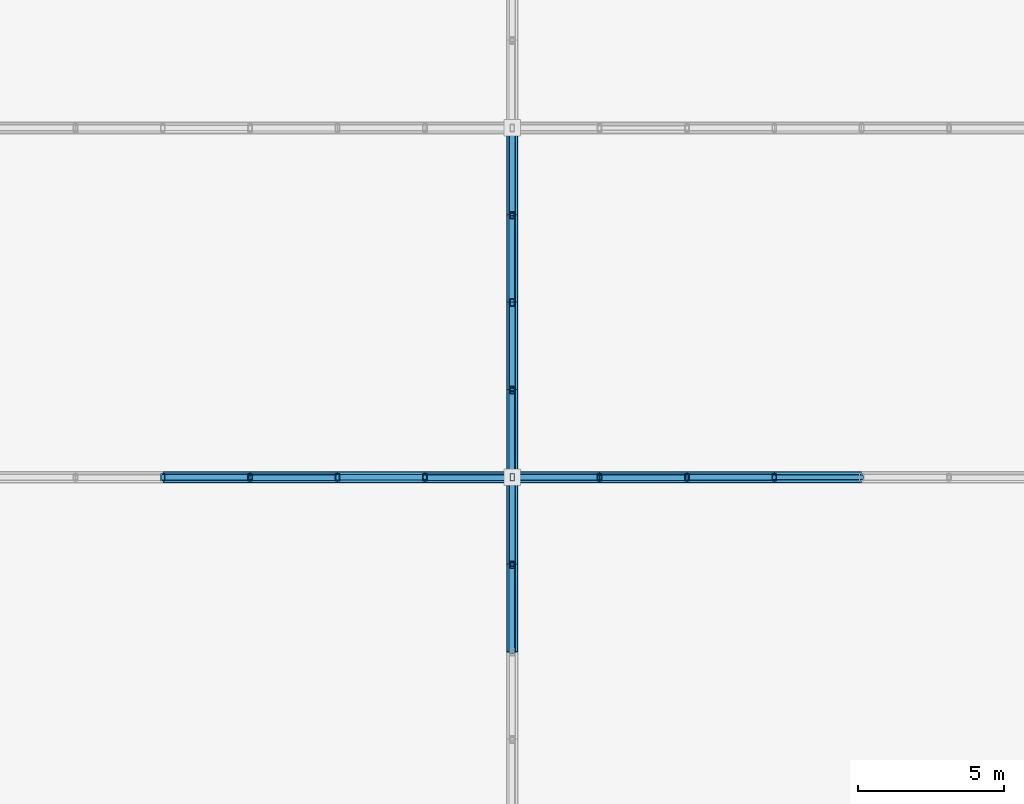
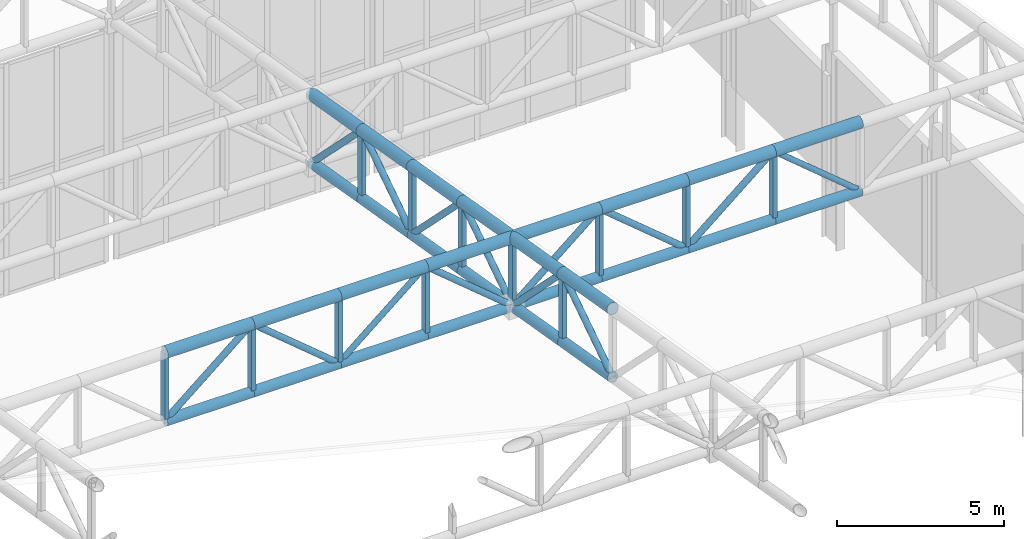
# One storey, part 128 of 239: 54 members.
"""IFC4 building model written with IfcOpenShell, lengths in metres."""

from ifc_helpers import new_model, si_unit, direction, frame, origin, origin_2d, place, context, subcontext, project, spatial, hollow_rectangle, hollow_circle, extrude, material, material_profile, profile_set, type_object, element, save


model = new_model("IFC4")

# Units and contexts
model_context = context("Model", 3, precision=1e-05, world=origin(), true_north=direction((0.0, 1.0)))
body_context = subcontext(model_context, "Body", "Model", "MODEL_VIEW")
ifc_project = project(units=[si_unit("LENGTHUNIT", "METRE"), si_unit("AREAUNIT", "SQUARE_METRE"), si_unit("VOLUMEUNIT", "CUBIC_METRE"), si_unit("PLANEANGLEUNIT", "RADIAN"), si_unit("MASSUNIT", "GRAM", prefix="KILO")], contexts=[model_context])

# Site, building, storey
site_placement = place(None, origin())
site = spatial("IfcSite", under=ifc_project, at=site_placement, CompositionType="ELEMENT")
building_placement = place(site_placement, origin())
building = spatial("IfcBuilding", under=site, at=building_placement, Name="Kaldris Quays Convention Centre", CompositionType="ELEMENT")
storey_placement = place(building_placement, frame((0.0, 0.0, 11.39990234375)))
storey = spatial("IfcBuildingStorey", under=building, at=storey_placement, Name="L02", CompositionType="ELEMENT", Elevation=11.39990234375)

# Members
ifc_material = material(Name="Steel S355J2H", Category="steel")
ifc_material_profile_1 = material_profile(ifc_material, hollow_circle(Radius=0.203125, WallThickness=0.01611328125, at=origin_2d()), Name="CHS 406.4x16")
ifc_profile_set_1 = profile_set([ifc_material_profile_1], Name="Steel S355J2H")
member_type_1 = type_object("IfcMemberType", Name="STRUCTURAL MEMBER SC01", PredefinedType="CHORD", material=ifc_profile_set_1)
for number, where, z_axis, x_axis, name in (
    (1, (116.0, 116.0, 13.7861328125), (1.0, 0.0, 0.0), (0.0, 1.0, 0.0), "SF-V1 Top Chord X 243"),
    (2, (119.0, 116.0, 13.7861328125), (1.0, 0.0, 0.0), (0.0, 1.0, 0.0), "SF-V1 Top Chord X 244"),
    (3, (122.0, 116.0, 13.7861328125), (1.0, 0.0, 0.0), (0.0, 1.0, 0.0), "SF-V1 Top Chord X 245"),
    (4, (125.0, 116.0, 13.7861328125), (1.0, 0.0, 0.0), (0.0, 1.0, 0.0), "SF-V1 Top Chord X 246"),
    (5, (128.0, 116.0, 13.7861328125), (1.0, 0.0, 0.0), (0.0, 1.0, 0.0), "SF-V1 Top Chord X 247"),
    (6, (131.0, 116.0, 13.7861328125), (1.0, 0.0, 0.0), (0.0, 1.0, 0.0), "SF-V1 Top Chord X 248"),
    (7, (134.0, 116.0, 13.7861328125), (1.0, 0.0, 0.0), (0.0, 1.0, 0.0), "SF-V1 Top Chord X 249"),
    (8, (137.0, 116.0, 13.7861328125), (1.0, 0.0, 0.0), (0.0, 1.0, 0.0), "SF-V1 Top Chord X 250"),
):
    element("IfcMember", number, at=place(storey_placement, frame(where, z_axis=z_axis, x_axis=x_axis)), inside=storey, type_object=member_type_1, Name=name, PredefinedType="CHORD", context=body_context, shape_type="SweptSolid", body=[
        extrude(hollow_circle(Radius=0.203125, WallThickness=0.01611328125, at=origin_2d()), origin(), (0.0, 0.0, 1.0), 3.0),
    ])
for number, where, z_axis, x_axis, name in (
    (9, (128.0, 110.0, 14.814697265625), (0.0, 0.98562912375, -0.168923741424), (-1.0, 0.0, 0.0), "SF-V1 Top Chord Y 523"),
    (10, (128.0, 113.0, 14.300537109375), (0.0, 0.985615766076, -0.169001661712), (-1.0, 0.0, 0.0), "SF-V1 Top Chord Y 524"),
    (11, (128.0, 116.0, 13.7861328125), (0.0, 0.98562912375, -0.168923741424), (-1.0, 0.0, 0.0), "SF-V1 Top Chord Y 525"),
    (12, (128.0, 119.0, 13.27197265625), (0.0, 0.985615766076, -0.169001661712), (-1.0, 0.0, 0.0), "SF-V1 Top Chord Y 526"),
    (13, (128.0, 122.0, 12.757568359375), (0.0, 0.98562912375, -0.168923741424), (-1.0, 0.0, 0.0), "SF-V1 Top Chord Y 527"),
    (14, (128.0, 125.0, 12.243408203125), (0.0, 0.985615766076, -0.169001661712), (-1.0, 0.0, 0.0), "SF-V1 Top Chord Y 528"),
):
    element("IfcMember", number, at=place(storey_placement, frame(where, z_axis=z_axis, x_axis=x_axis)), inside=storey, type_object=member_type_1, Name=name, PredefinedType="CHORD", context=body_context, shape_type="SweptSolid", body=[
        extrude(hollow_circle(Radius=0.203125, WallThickness=0.01611328125, at=origin_2d()), origin(), (0.0, 0.0, 1.0), 3.043701171875),
    ])
ifc_material_profile_2 = material_profile(ifc_material, hollow_circle(Radius=0.177734375, WallThickness=0.01611328125, at=origin_2d()), Name="CHS 355.6x16")
ifc_profile_set_2 = profile_set([ifc_material_profile_2], Name="Steel S355J2H")
member_type_2 = type_object("IfcMemberType", Name="STRUCTURAL MEMBER SC02", PredefinedType="CHORD", material=ifc_profile_set_2)
for number, where, z_axis, x_axis, name in (
    (15, (116.0, 116.0, 11.2861328125), (1.0, 0.0, 0.0), (0.0, 1.0, 0.0), "SF-V1 Bottom Chord X 243"),
    (16, (119.0, 116.0, 11.2861328125), (1.0, 0.0, 0.0), (0.0, 1.0, 0.0), "SF-V1 Bottom Chord X 244"),
    (17, (122.0, 116.0, 11.2861328125), (1.0, 0.0, 0.0), (0.0, 1.0, 0.0), "SF-V1 Bottom Chord X 245"),
    (18, (125.0, 116.0, 11.2861328125), (1.0, 0.0, 0.0), (0.0, 1.0, 0.0), "SF-V1 Bottom Chord X 246"),
    (19, (128.0, 116.0, 11.2861328125), (1.0, 0.0, 0.0), (0.0, 1.0, 0.0), "SF-V1 Bottom Chord X 247"),
    (20, (131.0, 116.0, 11.2861328125), (1.0, 0.0, 0.0), (0.0, 1.0, 0.0), "SF-V1 Bottom Chord X 248"),
    (21, (134.0, 116.0, 11.2861328125), (1.0, 0.0, 0.0), (0.0, 1.0, 0.0), "SF-V1 Bottom Chord X 249"),
    (22, (137.0, 116.0, 11.2861328125), (1.0, 0.0, 0.0), (0.0, 1.0, 0.0), "SF-V1 Bottom Chord X 250"),
):
    element("IfcMember", number, at=place(storey_placement, frame(where, z_axis=z_axis, x_axis=x_axis)), inside=storey, type_object=member_type_2, Name=name, PredefinedType="CHORD", context=body_context, shape_type="SweptSolid", body=[
        extrude(hollow_circle(Radius=0.177734375, WallThickness=0.01611328125, at=origin_2d()), origin(), (0.0, 0.0, 1.0), 3.0),
    ])
for number, where, z_axis, x_axis, name in (
    (23, (128.0, 110.0, 12.314697265625), (0.0, 0.98562912375, -0.168923741424), (-1.0, 0.0, 0.0), "SF-V1 Bottom Chord Y 523"),
    (24, (128.0, 113.0, 11.800537109375), (0.0, 0.985615766076, -0.169001661712), (-1.0, 0.0, 0.0), "SF-V1 Bottom Chord Y 524"),
    (25, (128.0, 116.0, 11.2861328125), (0.0, 0.98562912375, -0.168923741424), (-1.0, 0.0, 0.0), "SF-V1 Bottom Chord Y 525"),
    (26, (128.0, 119.0, 10.77197265625), (0.0, 0.985615766076, -0.169001661712), (-1.0, 0.0, 0.0), "SF-V1 Bottom Chord Y 526"),
    (27, (128.0, 122.0, 10.257568359375), (0.0, 0.98562912375, -0.168923741424), (-1.0, 0.0, 0.0), "SF-V1 Bottom Chord Y 527"),
    (28, (128.0, 125.0, 9.743408203125), (0.0, 0.985615766076, -0.169001661712), (-1.0, 0.0, 0.0), "SF-V1 Bottom Chord Y 528"),
):
    element("IfcMember", number, at=place(storey_placement, frame(where, z_axis=z_axis, x_axis=x_axis)), inside=storey, type_object=member_type_2, Name=name, PredefinedType="CHORD", context=body_context, shape_type="SweptSolid", body=[
        extrude(hollow_circle(Radius=0.177734375, WallThickness=0.01611328125, at=origin_2d()), origin(), (0.0, 0.0, 1.0), 3.043701171875),
    ])
ifc_material_profile_3 = material_profile(ifc_material, hollow_circle(Radius=0.109619140625, WallThickness=0.010009765625, at=origin_2d()), Name="CHS 219.1x10")
ifc_profile_set_3 = profile_set([ifc_material_profile_3], Name="Steel S355J2H")
member_type_3 = type_object("IfcMemberType", Name="STRUCTURAL MEMBER SWB1", PredefinedType="BRACE", material=ifc_profile_set_3)
for number, where, z_axis, x_axis, name in (
    (29, (116.0, 116.0, 11.2861328125), (0.768221279597, 0.0, 0.640184399664), (0.0, 1.0, 0.0), "SF-V1 Web Diagonal X 243"),
    (30, (122.0, 116.0, 11.2861328125), (-0.768221279597, 0.0, 0.640184399664), (0.0, -1.0, 0.0), "SF-V1 Web Diagonal X 244"),
    (31, (128.0, 116.0, 11.2861328125), (-0.768221279597, 0.0, 0.640184399664), (0.0, -1.0, 0.0), "SF-V1 Web Diagonal X 246"),
    (32, (128.0, 116.0, 11.2861328125), (0.768221279597, 0.0, 0.640184399664), (0.0, 1.0, 0.0), "SF-V1 Web Diagonal X 247"),
    (33, (134.0, 116.0, 11.2861328125), (-0.768221279597, 0.0, 0.640184399664), (0.0, -1.0, 0.0), "SF-V1 Web Diagonal X 248"),
    (34, (134.0, 116.0, 11.2861328125), (0.768221279597, 0.0, 0.640184399664), (0.0, 1.0, 0.0), "SF-V1 Web Diagonal X 249"),
):
    element("IfcMember", number, at=place(storey_placement, frame(where, z_axis=z_axis, x_axis=x_axis)), inside=storey, type_object=member_type_3, Name=name, PredefinedType="BRACE", context=body_context, shape_type="SweptSolid", body=[
        extrude(hollow_circle(Radius=0.109619140625, WallThickness=0.010009765625, at=origin_2d()), origin(), (0.0, 0.0, 1.0), 3.905029296875),
    ])
member_1_placement = place(storey_placement, frame((128.0, 110.0, 12.314697265625), z_axis=(0.0, 0.833862389808, 0.551972385962), x_axis=(-1.0, 0.0, 0.0)))
element("IfcMember", 35, at=member_1_placement, inside=storey, type_object=member_type_3, Name="SF-V1 Web Diagonal Y 523", PredefinedType="BRACE", context=body_context, shape_type="SweptSolid", body=[
    extrude(hollow_circle(Radius=0.109619140625, WallThickness=0.010009765625, at=origin_2d()), origin(), (0.0, 0.0, 1.0), 3.59765625),
])
member_2_placement = place(storey_placement, frame((128.0, 116.0, 11.2861328125), z_axis=(0.0, -0.705411261057, 0.708798245465), x_axis=(1.0, 0.0, 0.0)))
element("IfcMember", 36, at=member_2_placement, inside=storey, type_object=member_type_3, Name="SF-V1 Web Diagonal Y 524", PredefinedType="BRACE", context=body_context, shape_type="SweptSolid", body=[
    extrude(hollow_circle(Radius=0.109619140625, WallThickness=0.010009765625, at=origin_2d()), origin(), (0.0, 0.0, 1.0), 4.2529296875),
])
member_3_placement = place(storey_placement, frame((128.0, 116.0, 11.2861328125), z_axis=(0.0, 0.833862389808, 0.551972385962), x_axis=(-1.0, 0.0, 0.0)))
element("IfcMember", 37, at=member_3_placement, inside=storey, type_object=member_type_3, Name="SF-V1 Web Diagonal Y 525", PredefinedType="BRACE", context=body_context, shape_type="SweptSolid", body=[
    extrude(hollow_circle(Radius=0.109619140625, WallThickness=0.010009765625, at=origin_2d()), origin(), (0.0, 0.0, 1.0), 3.59765625),
])
member_4_placement = place(storey_placement, frame((128.0, 122.0, 10.257568359375), z_axis=(0.0, -0.705411261057, 0.708798245465), x_axis=(1.0, 0.0, 0.0)))
element("IfcMember", 38, at=member_4_placement, inside=storey, type_object=member_type_3, Name="SF-V1 Web Diagonal Y 526", PredefinedType="BRACE", context=body_context, shape_type="SweptSolid", body=[
    extrude(hollow_circle(Radius=0.109619140625, WallThickness=0.010009765625, at=origin_2d()), origin(), (0.0, 0.0, 1.0), 4.2529296875),
])
member_5_placement = place(storey_placement, frame((128.0, 122.0, 10.257568359375), z_axis=(0.0, 0.833862389808, 0.551972385962), x_axis=(-1.0, 0.0, 0.0)))
element("IfcMember", 39, at=member_5_placement, inside=storey, type_object=member_type_3, Name="SF-V1 Web Diagonal Y 527", PredefinedType="BRACE", context=body_context, shape_type="SweptSolid", body=[
    extrude(hollow_circle(Radius=0.109619140625, WallThickness=0.010009765625, at=origin_2d()), origin(), (0.0, 0.0, 1.0), 3.59765625),
])
member_6_placement = place(storey_placement, frame((128.0, 128.0, 9.22900390625), z_axis=(0.0, -0.705411261057, 0.708798245465), x_axis=(1.0, 0.0, 0.0)))
element("IfcMember", 40, at=member_6_placement, inside=storey, type_object=member_type_3, Name="SF-V1 Web Diagonal Y 528", PredefinedType="BRACE", context=body_context, shape_type="SweptSolid", body=[
    extrude(hollow_circle(Radius=0.109619140625, WallThickness=0.010009765625, at=origin_2d()), origin(), (0.0, 0.0, 1.0), 4.2529296875),
])
ifc_material_profile_4 = material_profile(ifc_material, hollow_circle(Radius=0.096923828125, WallThickness=0.008056640625, at=origin_2d()), Name="CHS 193.7x8")
ifc_profile_set_4 = profile_set([ifc_material_profile_4], Name="Steel S355J2H")
member_type_4 = type_object("IfcMemberType", Name="STRUCTURAL MEMBER SWB3", PredefinedType="BRACE", material=ifc_profile_set_4)
for number, where, z_axis, x_axis, name in (
    (41, (122.0, 116.0, 11.2861328125), (0.768221279597, 0.0, 0.640184399664), (0.0, 1.0, 0.0), "SF-V1 Web Diagonal X 245"),
    (42, (140.0, 116.0, 11.2861328125), (-0.768221279597, 0.0, 0.640184399664), (0.0, -1.0, 0.0), "SF-V1 Web Diagonal X 250"),
):
    element("IfcMember", number, at=place(storey_placement, frame(where, z_axis=z_axis, x_axis=x_axis)), inside=storey, type_object=member_type_4, Name=name, PredefinedType="BRACE", context=body_context, shape_type="SweptSolid", body=[
        extrude(hollow_circle(Radius=0.096923828125, WallThickness=0.008056640625, at=origin_2d()), origin(), (0.0, 0.0, 1.0), 3.905029296875),
    ])
ifc_material_profile_5 = material_profile(ifc_material, hollow_rectangle(XDim=0.14990234375, YDim=0.25, WallThickness=0.010009765625, at=origin_2d()), Name="RHS 250x150x10")
ifc_profile_set_5 = profile_set([ifc_material_profile_5], Name="Steel S355J2H")
member_type_5 = type_object("IfcMemberType", Name="STRUCTURAL MEMBER TTV1", PredefinedType="POST", material=ifc_profile_set_5)
for number, where, z_axis, x_axis, name in (
    (43, (116.0, 116.0, 11.2861328125), (0.0, 0.0, 1.0), (1.0, 0.0, 0.0), "SF-V1 Space-Frame Post 388"),
    (44, (119.0, 116.0, 11.2861328125), (0.0, 0.0, 1.0), (1.0, 0.0, 0.0), "SF-V1 Space-Frame Post 396"),
    (45, (122.0, 116.0, 11.2861328125), (0.0, 0.0, 1.0), (1.0, 0.0, 0.0), "SF-V1 Space-Frame Post 404"),
    (46, (125.0, 116.0, 11.2861328125), (0.0, 0.0, 1.0), (1.0, 0.0, 0.0), "SF-V1 Space-Frame Post 412"),
    (47, (128.0, 113.0, 11.800537109375), (0.0, 0.0, 1.0), (1.0, 0.0, 0.0), "SF-V1 Space-Frame Post 434"),
    (48, (128.0, 116.0, 11.2861328125), (0.0, 0.0, 1.0), (1.0, 0.0, 0.0), "SF-V1 Space-Frame Post 435"),
    (49, (128.0, 119.0, 10.77197265625), (0.0, 0.0, 1.0), (1.0, 0.0, 0.0), "SF-V1 Space-Frame Post 436"),
    (50, (128.0, 122.0, 10.257568359375), (0.0, 0.0, 1.0), (1.0, 0.0, 0.0), "SF-V1 Space-Frame Post 437"),
    (51, (128.0, 125.0, 9.743408203125), (0.0, 0.0, 1.0), (1.0, 0.0, 0.0), "SF-V1 Space-Frame Post 438"),
    (52, (131.0, 116.0, 11.2861328125), (0.0, 0.0, 1.0), (1.0, 0.0, 0.0), "SF-V1 Space-Frame Post 449"),
    (53, (134.0, 116.0, 11.2861328125), (0.0, 0.0, 1.0), (1.0, 0.0, 0.0), "SF-V1 Space-Frame Post 457"),
    (54, (137.0, 116.0, 11.2861328125), (0.0, 0.0, 1.0), (1.0, 0.0, 0.0), "SF-V1 Space-Frame Post 465"),
):
    element("IfcMember", number, at=place(storey_placement, frame(where, z_axis=z_axis, x_axis=x_axis)), inside=storey, type_object=member_type_5, Name=name, PredefinedType="POST", context=body_context, shape_type="SweptSolid", body=[
        extrude(hollow_rectangle(XDim=0.14990234375, YDim=0.25, WallThickness=0.010009765625, at=origin_2d()), origin(), (0.0, 0.0, 1.0), 2.5),
    ])

save(model, "model.ifc")
